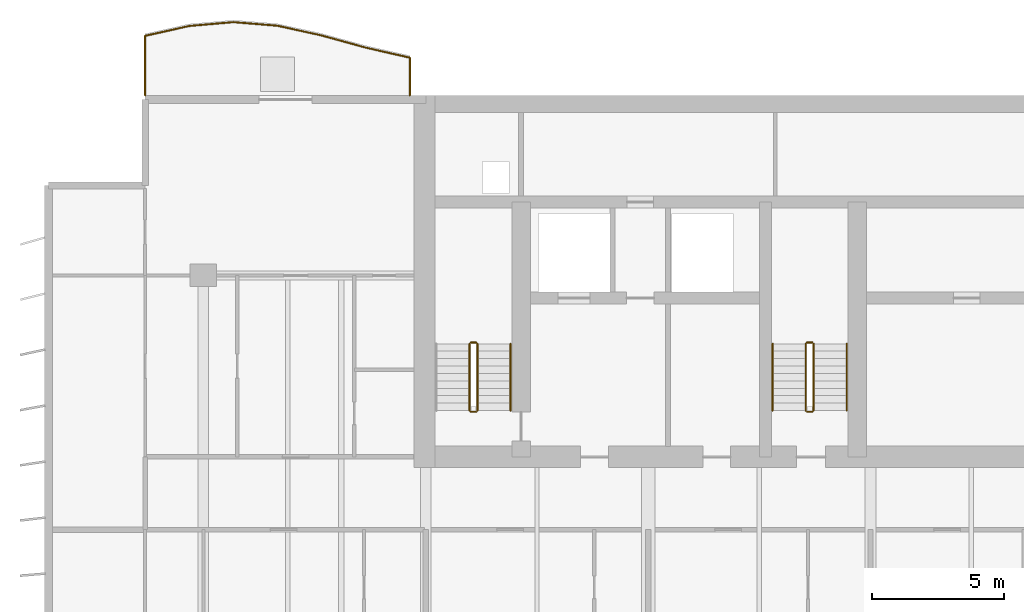
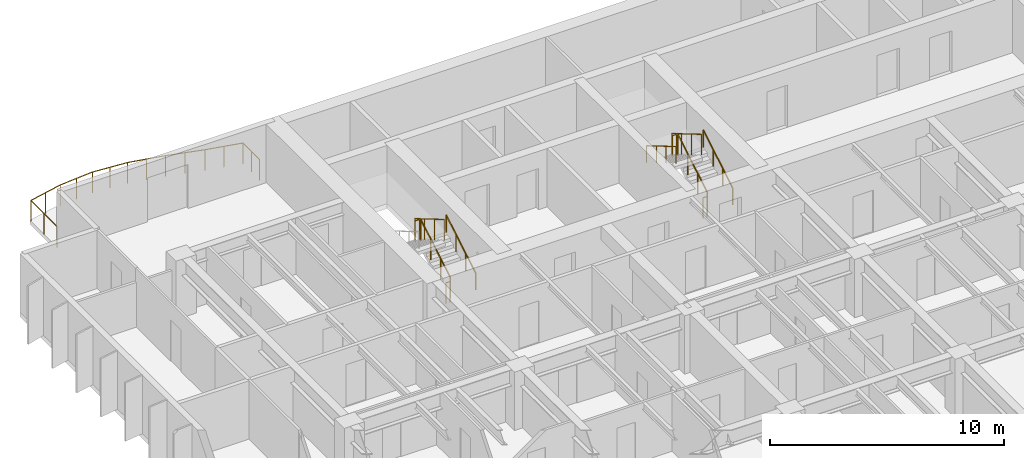
# One storey, part 14 of 16: 12 railings.
"""IFC4 building model written with IfcOpenShell, lengths in metres."""

from ifc_helpers import new_model, si_unit, direction, frame, origin, origin_2d, place, context, subcontext, project, spatial, circle, extrude, material, type_object, element, save


model = new_model("IFC4")

# Units and contexts
model_context = context("Model", 3, precision=1e-05, world=origin(), true_north=direction((0.0, 1.0)))
body_context = subcontext(model_context, "Body", "Model", "MODEL_VIEW")
ifc_project = project(units=[si_unit("LENGTHUNIT", "METRE"), si_unit("AREAUNIT", "SQUARE_METRE"), si_unit("VOLUMEUNIT", "CUBIC_METRE"), si_unit("PLANEANGLEUNIT", "RADIAN"), si_unit("MASSUNIT", "GRAM", prefix="KILO")], contexts=[model_context])

# Site, building, storey
site_placement = place(None, origin())
site = spatial("IfcSite", under=ifc_project, at=site_placement, CompositionType="ELEMENT")
building_placement = place(site_placement, origin())
building = spatial("IfcBuilding", under=site, at=building_placement, Name="Caelmar Bay Residences", CompositionType="ELEMENT")
storey_placement = place(building_placement, frame((0.0, 0.0, 142.199951171875)))
storey = spatial("IfcBuildingStorey", under=building, at=storey_placement, Name="L39", CompositionType="ELEMENT", Elevation=142.199951171875)

# Railings
ifc_material_1 = material(Name="Anodised bronze handrail with laminated hurricane glass infill", Category="glass")
railing_type_1 = type_object("IfcRailingType", Name="RL-BAL-1100", PredefinedType="BALUSTRADE", material=ifc_material_1)
railing_1_placement = place(storey_placement, frame((17.699951171875, 50.60009765625, 0.0)))
element("IfcRailing", 1, at=railing_1_placement, inside=storey, type_object=railing_type_1, Name="L39 north_west Balcony Balustrade", PredefinedType="BALUSTRADE", context=body_context, shape_type="SweptSolid", body=[
    extrude(circle(Radius=0.02392578125, at=origin_2d()), frame((0.0, 0.0, 1.076171875), z_axis=(0.0, 1.0, 0.0), x_axis=(-1.0, 0.0, 0.0)), (0.0, 0.0, 1.0), 1.426513671875),
    extrude(circle(Radius=0.02392578125, at=origin_2d()), frame((0.0, 1.426513671875, 1.076171875), z_axis=(-0.97505844271, 0.22194826717, 0.0), x_axis=(-0.22194826717, -0.97505844271, 0.0)), (0.0, 0.0, 1.0), 1.70947265625),
    extrude(circle(Radius=0.02392578125, at=origin_2d()), frame((-1.666748046875, 1.805908203125, 1.076171875), z_axis=(-0.963957656343, 0.266055702395, 0.0), x_axis=(-0.266055702395, -0.963957656343, 0.0)), (0.0, 0.0, 1.0), 1.728759765625),
    extrude(circle(Radius=0.02392578125, at=origin_2d()), frame((-3.333251953125, 2.265869140625, 1.076171875), z_axis=(-0.976552526697, 0.215279266541, 0.0), x_axis=(-0.215279266541, -0.976552526697, 0.0)), (0.0, 0.0, 1.0), 1.706787109375),
    extrude(circle(Radius=0.02392578125, at=origin_2d()), frame((-5.0, 2.63330078125, 1.076171875), z_axis=(-0.996652648034, 0.081752670704, 0.0), x_axis=(-0.081752670704, -0.996652648034, 0.0)), (0.0, 0.0, 1.0), 1.67236328125),
    extrude(circle(Radius=0.02392578125, at=origin_2d()), frame((-6.666748046875, 2.77001953125, 1.076171875), z_axis=(-0.996209858484, -0.086982284743, 0.0), x_axis=(0.086982284743, -0.996209858484, 0.0)), (0.0, 0.0, 1.0), 1.6728515625),
    extrude(circle(Radius=0.02392578125, at=origin_2d()), frame((-8.333251953125, 2.62451171875, 1.076171875), z_axis=(-0.975886786745, -0.218277299452, 0.0), x_axis=(0.218277299452, -0.975886786745, 0.0)), (0.0, 0.0, 1.0), 1.7080078125),
    extrude(circle(Radius=0.02392578125, at=origin_2d()), frame((-10.0, 2.251708984375, 1.076171875), z_axis=(0.0, -1.0, 0.0), x_axis=(1.0, 0.0, 0.0)), (0.0, 0.0, 1.0), 2.251708984375),
    extrude(circle(Radius=0.02099609375, at=origin_2d()), origin(), (0.0, 0.0, 1.0), 1.052001953125),
    extrude(circle(Radius=0.02099609375, at=origin_2d()), frame((0.0, 0.71337890625, 0.0)), (0.0, 0.0, 1.0), 1.052001953125),
    extrude(circle(Radius=0.02099609375, at=origin_2d()), frame((0.0, 1.426513671875, 0.0)), (0.0, 0.0, 1.0), 1.052001953125),
    extrude(circle(Radius=0.02099609375, at=origin_2d()), frame((-0.83349609375, 1.6162109375, 0.0)), (0.0, 0.0, 1.0), 1.052001953125),
    extrude(circle(Radius=0.02099609375, at=origin_2d()), frame((-1.666748046875, 1.805908203125, 0.0)), (0.0, 0.0, 1.0), 1.052001953125),
    extrude(circle(Radius=0.02099609375, at=origin_2d()), frame((-2.5, 2.035888671875, 0.0)), (0.0, 0.0, 1.0), 1.052001953125),
    extrude(circle(Radius=0.02099609375, at=origin_2d()), frame((-3.333251953125, 2.265869140625, 0.0)), (0.0, 0.0, 1.0), 1.052001953125),
    extrude(circle(Radius=0.02099609375, at=origin_2d()), frame((-4.16650390625, 2.44970703125, 0.0)), (0.0, 0.0, 1.0), 1.052001953125),
    extrude(circle(Radius=0.02099609375, at=origin_2d()), frame((-5.0, 2.63330078125, 0.0)), (0.0, 0.0, 1.0), 1.052001953125),
    extrude(circle(Radius=0.02099609375, at=origin_2d()), frame((-5.83349609375, 2.70166015625, 0.0)), (0.0, 0.0, 1.0), 1.052001953125),
    extrude(circle(Radius=0.02099609375, at=origin_2d()), frame((-6.666748046875, 2.77001953125, 0.0)), (0.0, 0.0, 1.0), 1.052001953125),
    extrude(circle(Radius=0.02099609375, at=origin_2d()), frame((-7.5, 2.697265625, 0.0)), (0.0, 0.0, 1.0), 1.052001953125),
    extrude(circle(Radius=0.02099609375, at=origin_2d()), frame((-8.333251953125, 2.62451171875, 0.0)), (0.0, 0.0, 1.0), 1.052001953125),
    extrude(circle(Radius=0.02099609375, at=origin_2d()), frame((-9.16650390625, 2.43798828125, 0.0)), (0.0, 0.0, 1.0), 1.052001953125),
    extrude(circle(Radius=0.02099609375, at=origin_2d()), frame((-10.0, 2.251708984375, 0.0)), (0.0, 0.0, 1.0), 1.052001953125),
    extrude(circle(Radius=0.02099609375, at=origin_2d()), frame((-10.0, 1.1259765625, 0.0)), (0.0, 0.0, 1.0), 1.052001953125),
    extrude(circle(Radius=0.02099609375, at=origin_2d()), frame((-10.0, 0.0, 0.0)), (0.0, 0.0, 1.0), 1.052001953125),
])
ifc_material_2 = material(Name="Painted galvanized steel stair guard 1100 mm", Category="steel")
railing_type_2 = type_object("IfcRailingType", Name="RL-GRD-1100", PredefinedType="GUARDRAIL", material=ifc_material_2)
railing_2_placement = place(storey_placement, frame((20.25, 38.699951171875, 0.1650390625)))
element("IfcRailing", 2, at=railing_2_placement, inside=storey, type_object=railing_type_2, Name="L39 ST1 stair guard 1", PredefinedType="GUARDRAIL", context=body_context, shape_type="SweptSolid", body=[
    extrude(circle(Radius=0.02392578125, at=origin_2d()), frame((0.0, 0.0, 1.076171875), z_axis=(0.0, 0.86152411907, 0.507716645641), x_axis=(-1.0, 0.0, 0.0)), (0.0, 0.0, 1.0), 2.925048828125),
    extrude(circle(Radius=0.02099609375, at=origin_2d()), origin(), (0.0, 0.0, 1.0), 1.052001953125),
    extrude(circle(Radius=0.02099609375, at=origin_2d()), frame((0.0, 0.840087890625, 0.4951171875)), (0.0, 0.0, 1.0), 1.052001953125),
    extrude(circle(Radius=0.02099609375, at=origin_2d()), frame((0.0, 1.679931640625, 0.989990234375)), (0.0, 0.0, 1.0), 1.052001953125),
    extrude(circle(Radius=0.02099609375, at=origin_2d()), frame((0.0, 2.52001953125, 1.485107421875)), (0.0, 0.0, 1.0), 1.052001953125),
])
railing_3_placement = place(storey_placement, frame((20.199951171875, 41.27001953125, 1.650146484375)))
element("IfcRailing", 3, at=railing_3_placement, inside=storey, type_object=railing_type_2, Name="L39 ST1 stair guard 2", PredefinedType="GUARDRAIL", context=body_context, shape_type="SweptSolid", body=[
    extrude(circle(Radius=0.02392578125, at=origin_2d()), frame((0.0, 0.0, 1.076171875), z_axis=(-1.0, 0.0, 0.0), x_axis=(0.0, -1.0, 0.0)), (0.0, 0.0, 1.0), 0.199951171875),
    extrude(circle(Radius=0.02099609375, at=origin_2d()), origin(), (0.0, 0.0, 1.0), 1.052001953125),
    extrude(circle(Radius=0.02099609375, at=origin_2d()), frame((-0.199951171875, 0.0, 0.0)), (0.0, 0.0, 1.0), 1.052001953125),
])
railing_4_placement = place(storey_placement, frame((19.949951171875, 41.219970703125, 1.81494140625)))
element("IfcRailing", 4, at=railing_4_placement, inside=storey, type_object=railing_type_2, Name="L39 ST1 stair guard 3", PredefinedType="GUARDRAIL", context=body_context, shape_type="SweptSolid", body=[
    extrude(circle(Radius=0.02392578125, at=origin_2d()), frame((0.0, 0.0, 1.076171875), z_axis=(0.0, -0.86152411907, 0.507716645641), x_axis=(1.0, 0.0, 0.0)), (0.0, 0.0, 1.0), 2.925048828125),
    extrude(circle(Radius=0.02099609375, at=origin_2d()), origin(), (0.0, 0.0, 1.0), 1.052001953125),
    extrude(circle(Radius=0.02099609375, at=origin_2d()), frame((0.0, -0.840087890625, 0.4951171875)), (0.0, 0.0, 1.0), 1.052001953125),
    extrude(circle(Radius=0.02099609375, at=origin_2d()), frame((0.0, -1.679931640625, 0.989990234375)), (0.0, 0.0, 1.0), 1.052001953125),
    extrude(circle(Radius=0.02099609375, at=origin_2d()), frame((0.0, -2.52001953125, 1.485107421875)), (0.0, 0.0, 1.0), 1.052001953125),
])
railing_5_placement = place(storey_placement, frame((20.199951171875, 38.64990234375, 0.0)))
element("IfcRailing", 5, at=railing_5_placement, inside=storey, type_object=railing_type_2, Name="L39 ST1 stair guard 4", PredefinedType="GUARDRAIL", context=body_context, shape_type="SweptSolid", body=[
    extrude(circle(Radius=0.02392578125, at=origin_2d()), frame((0.0, 0.0, 1.076171875), z_axis=(-1.0, 0.0, 0.0), x_axis=(0.0, -1.0, 0.0)), (0.0, 0.0, 1.0), 0.199951171875),
    extrude(circle(Radius=0.02099609375, at=origin_2d()), origin(), (0.0, 0.0, 1.0), 1.052001953125),
    extrude(circle(Radius=0.02099609375, at=origin_2d()), frame((-0.199951171875, 0.0, 0.0)), (0.0, 0.0, 1.0), 1.052001953125),
])
railing_6_placement = place(storey_placement, frame((32.949951171875, 38.699951171875, 0.1650390625)))
element("IfcRailing", 6, at=railing_6_placement, inside=storey, type_object=railing_type_2, Name="L39 ST3 stair guard 1", PredefinedType="GUARDRAIL", context=body_context, shape_type="SweptSolid", body=[
    extrude(circle(Radius=0.02392578125, at=origin_2d()), frame((0.0, 0.0, 1.076171875), z_axis=(0.0, 0.86152411907, 0.507716645641), x_axis=(-1.0, 0.0, 0.0)), (0.0, 0.0, 1.0), 2.925048828125),
    extrude(circle(Radius=0.02099609375, at=origin_2d()), origin(), (0.0, 0.0, 1.0), 1.052001953125),
    extrude(circle(Radius=0.02099609375, at=origin_2d()), frame((0.0, 0.840087890625, 0.4951171875)), (0.0, 0.0, 1.0), 1.052001953125),
    extrude(circle(Radius=0.02099609375, at=origin_2d()), frame((0.0, 1.679931640625, 0.989990234375)), (0.0, 0.0, 1.0), 1.052001953125),
    extrude(circle(Radius=0.02099609375, at=origin_2d()), frame((0.0, 2.52001953125, 1.485107421875)), (0.0, 0.0, 1.0), 1.052001953125),
])
railing_7_placement = place(storey_placement, frame((32.89990234375, 41.27001953125, 1.650146484375)))
element("IfcRailing", 7, at=railing_7_placement, inside=storey, type_object=railing_type_2, Name="L39 ST3 stair guard 2", PredefinedType="GUARDRAIL", context=body_context, shape_type="SweptSolid", body=[
    extrude(circle(Radius=0.02392578125, at=origin_2d()), frame((0.0, 0.0, 1.076171875), z_axis=(-1.0, 0.0, 0.0), x_axis=(0.0, -1.0, 0.0)), (0.0, 0.0, 1.0), 0.199951171875),
    extrude(circle(Radius=0.02099609375, at=origin_2d()), origin(), (0.0, 0.0, 1.0), 1.052001953125),
    extrude(circle(Radius=0.02099609375, at=origin_2d()), frame((-0.199951171875, 0.0, 0.0)), (0.0, 0.0, 1.0), 1.052001953125),
])
railing_8_placement = place(storey_placement, frame((32.64990234375, 41.219970703125, 1.81494140625)))
element("IfcRailing", 8, at=railing_8_placement, inside=storey, type_object=railing_type_2, Name="L39 ST3 stair guard 3", PredefinedType="GUARDRAIL", context=body_context, shape_type="SweptSolid", body=[
    extrude(circle(Radius=0.02392578125, at=origin_2d()), frame((0.0, 0.0, 1.076171875), z_axis=(0.0, -0.86152411907, 0.507716645641), x_axis=(1.0, 0.0, 0.0)), (0.0, 0.0, 1.0), 2.925048828125),
    extrude(circle(Radius=0.02099609375, at=origin_2d()), origin(), (0.0, 0.0, 1.0), 1.052001953125),
    extrude(circle(Radius=0.02099609375, at=origin_2d()), frame((0.0, -0.840087890625, 0.4951171875)), (0.0, 0.0, 1.0), 1.052001953125),
    extrude(circle(Radius=0.02099609375, at=origin_2d()), frame((0.0, -1.679931640625, 0.989990234375)), (0.0, 0.0, 1.0), 1.052001953125),
    extrude(circle(Radius=0.02099609375, at=origin_2d()), frame((0.0, -2.52001953125, 1.485107421875)), (0.0, 0.0, 1.0), 1.052001953125),
])
railing_9_placement = place(storey_placement, frame((32.89990234375, 38.64990234375, 0.0)))
element("IfcRailing", 9, at=railing_9_placement, inside=storey, type_object=railing_type_2, Name="L39 ST3 stair guard 4", PredefinedType="GUARDRAIL", context=body_context, shape_type="SweptSolid", body=[
    extrude(circle(Radius=0.02392578125, at=origin_2d()), frame((0.0, 0.0, 1.076171875), z_axis=(-1.0, 0.0, 0.0), x_axis=(0.0, -1.0, 0.0)), (0.0, 0.0, 1.0), 0.199951171875),
    extrude(circle(Radius=0.02099609375, at=origin_2d()), origin(), (0.0, 0.0, 1.0), 1.052001953125),
    extrude(circle(Radius=0.02099609375, at=origin_2d()), frame((-0.199951171875, 0.0, 0.0)), (0.0, 0.0, 1.0), 1.052001953125),
])
ifc_material_3 = material(Name="Brushed bronze stainless-steel tubular handrail 900 mm", Category="steel")
railing_type_3 = type_object("IfcRailingType", Name="RL-HND-900", PredefinedType="HANDRAIL", material=ifc_material_3)
for number, where, name in (
    (10, (21.5, 38.699951171875, 0.1650390625), "L39 ST1 stair handrail 1"),
    (11, (34.199951171875, 38.699951171875, 0.1650390625), "L39 ST3 stair handrail 1"),
):
    element("IfcRailing", number, at=place(storey_placement, frame(where)), inside=storey, type_object=railing_type_3, Name=name, PredefinedType="HANDRAIL", context=body_context, shape_type="SweptSolid", body=[
        extrude(circle(Radius=0.02392578125, at=origin_2d()), frame((0.0, 0.0, 0.8759765625), z_axis=(0.0, 0.86152411907, 0.507716645641), x_axis=(-1.0, 0.0, 0.0)), (0.0, 0.0, 1.0), 2.925048828125),
        extrude(circle(Radius=0.02099609375, at=origin_2d()), origin(), (0.0, 0.0, 1.0), 0.851806640625),
        extrude(circle(Radius=0.02099609375, at=origin_2d()), frame((0.0, 0.840087890625, 0.4951171875)), (0.0, 0.0, 1.0), 0.851806640625),
        extrude(circle(Radius=0.02099609375, at=origin_2d()), frame((0.0, 1.679931640625, 0.989990234375)), (0.0, 0.0, 1.0), 0.851806640625),
        extrude(circle(Radius=0.02099609375, at=origin_2d()), frame((0.0, 2.52001953125, 1.485107421875)), (0.0, 0.0, 1.0), 0.851806640625),
    ])
railing_10_placement = place(storey_placement, frame((31.39990234375, 41.219970703125, 1.81494140625)))
element("IfcRailing", 12, at=railing_10_placement, inside=storey, type_object=railing_type_3, Name="L39 ST3 stair handrail 2", PredefinedType="HANDRAIL", context=body_context, shape_type="SweptSolid", body=[
    extrude(circle(Radius=0.02392578125, at=origin_2d()), frame((0.0, 0.0, 0.8759765625), z_axis=(0.0, -0.86152411907, 0.507716645641), x_axis=(1.0, 0.0, 0.0)), (0.0, 0.0, 1.0), 2.925048828125),
    extrude(circle(Radius=0.02099609375, at=origin_2d()), origin(), (0.0, 0.0, 1.0), 0.851806640625),
    extrude(circle(Radius=0.02099609375, at=origin_2d()), frame((0.0, -0.840087890625, 0.4951171875)), (0.0, 0.0, 1.0), 0.851806640625),
    extrude(circle(Radius=0.02099609375, at=origin_2d()), frame((0.0, -1.679931640625, 0.989990234375)), (0.0, 0.0, 1.0), 0.851806640625),
    extrude(circle(Radius=0.02099609375, at=origin_2d()), frame((0.0, -2.52001953125, 1.485107421875)), (0.0, 0.0, 1.0), 0.851806640625),
])

save(model, "model.ifc")
